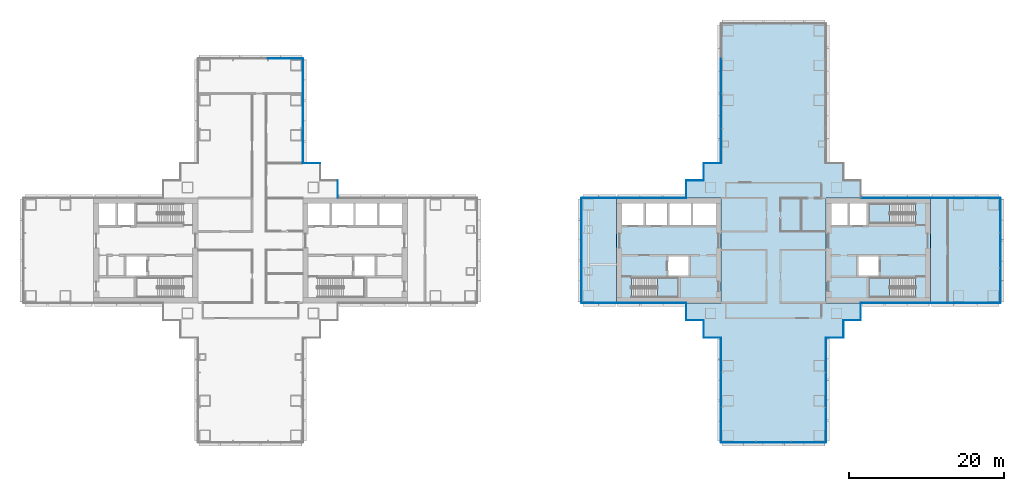
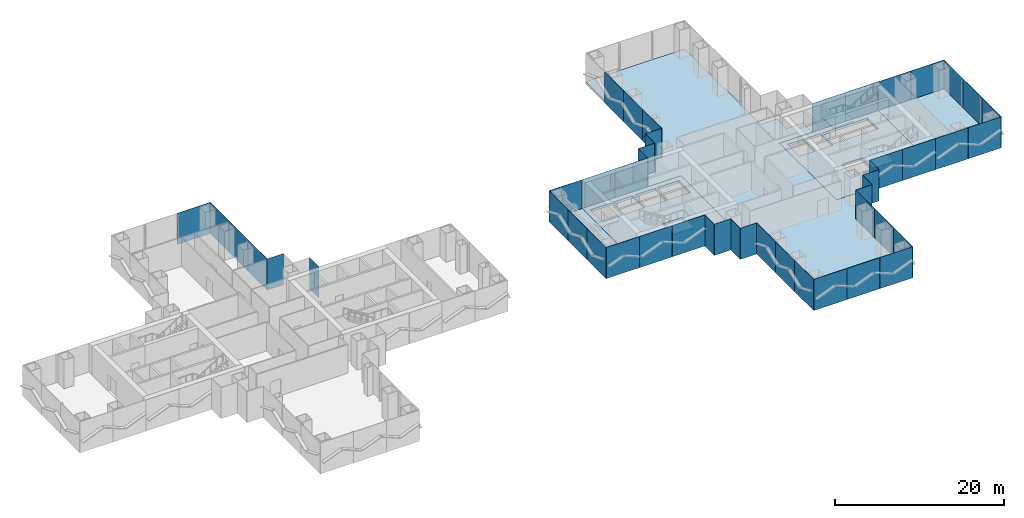
# One storey, part 12 of 22: 50 plates, 8 slabs, 23 elements without a shape of their own.
"""IFC4 building model written with IfcOpenShell, lengths in metres."""

from ifc_helpers import new_model, si_unit, direction, frame, origin, origin_2d, place, context, subcontext, project, spatial, polyline, rectangle, outline, extrude, material, layer, layer_set, type_object, element, aggregate, save


model = new_model("IFC4")

# Units and contexts
model_context = context("Model", 3, precision=1e-05, world=origin(), true_north=direction((0.0, 1.0)))
body_context = subcontext(model_context, "Body", "Model", "MODEL_VIEW")
ifc_project = project(units=[si_unit("LENGTHUNIT", "METRE"), si_unit("AREAUNIT", "SQUARE_METRE"), si_unit("VOLUMEUNIT", "CUBIC_METRE"), si_unit("PLANEANGLEUNIT", "RADIAN"), si_unit("MASSUNIT", "GRAM", prefix="KILO")], contexts=[model_context])

# Site, building, storey
site_placement = place(None, origin())
site = spatial("IfcSite", under=ifc_project, at=site_placement, CompositionType="ELEMENT")
building_placement = place(site_placement, origin())
building = spatial("IfcBuilding", under=site, at=building_placement, Name="Shamsa Quay Exchange Towers", CompositionType="ELEMENT")
storey_placement = place(building_placement, frame((0.0, 0.0, 37.5)))
storey = spatial("IfcBuildingStorey", under=building, at=storey_placement, Name="L07", CompositionType="ELEMENT", Elevation=37.5)

# Slabs
ifc_material_1 = material(Name="Concrete C50/60", Category="concrete")
ifc_layer_1 = layer(ifc_material_1, 0.35009765625)
ifc_layer_set_1 = layer_set([ifc_layer_1], Name="CORE FLOOR 350 C50/60")
slab_type_1 = type_object("IfcSlabType", Name="CORE FLOOR 350 C50/60", PredefinedType="FLOOR", material=ifc_layer_set_1)
slab_1_placement = place(storey_placement, frame((0.0, 0.0, -0.35009765625)))
element("IfcSlab", 1, at=slab_1_placement, inside=storey, type_object=slab_type_1, Name="Core floor T2A", PredefinedType="FLOOR", context=body_context, shape_type="SweptSolid", body=[
    extrude(outline(polyline([(13.5, -6.75), (27.0, -6.75), (27.0, 6.75), (13.5, 6.75), (13.5, -6.75)]), holes=[polyline([(15.400634765625, -6.050048828125), (15.400634765625, -3.5), (21.5, -3.5), (21.5, -6.050048828125), (15.400634765625, -6.050048828125)]), polyline([(14.199951171875, 3.25), (14.199951171875, 6.050048828125), (17.0, 6.050048828125), (17.0, 3.25), (14.199951171875, 3.25)]), polyline([(17.25, 3.25), (17.25, 6.050048828125), (20.050048828125, 6.050048828125), (20.050048828125, 3.25), (17.25, 3.25)]), polyline([(20.300048828125, 3.25), (20.300048828125, 6.050048828125), (23.10009765625, 6.050048828125), (23.10009765625, 3.25), (20.300048828125, 3.25)]), polyline([(23.35009765625, 3.25), (23.35009765625, 6.050048828125), (26.300048828125, 6.050048828125), (26.300048828125, 3.25), (23.35009765625, 3.25)]), polyline([(20.14990234375, -3.25), (20.14990234375, -0.75), (22.800048828125, -0.75), (22.800048828125, -3.25), (20.14990234375, -3.25)])]), origin(), (0.0, 0.0, 1.0), 0.35009765625),
])
slab_2_placement = place(storey_placement, frame((0.0, 0.0, -0.35009765625)))
element("IfcSlab", 2, at=slab_2_placement, inside=storey, type_object=slab_type_1, Name="Core floor T2B", PredefinedType="FLOOR", context=body_context, shape_type="SweptSolid", body=[
    extrude(outline(polyline([(54.0, -6.75), (54.0, 6.75), (40.5, 6.75), (40.5, -6.75), (54.0, -6.75)]), holes=[polyline([(52.099365234375, -3.5), (52.099365234375, -6.050048828125), (46.0, -6.050048828125), (46.0, -3.5), (52.099365234375, -3.5)]), polyline([(52.099365234375, 6.050048828125), (52.099365234375, 3.5), (46.0, 3.5), (46.0, 6.050048828125), (52.099365234375, 6.050048828125)]), polyline([(45.75, 3.25), (43.60009765625, 3.25), (43.60009765625, 6.050048828125), (45.75, 6.050048828125), (45.75, 3.25)]), polyline([(43.35009765625, 3.25), (41.199951171875, 3.25), (41.199951171875, 6.050048828125), (43.35009765625, 6.050048828125), (43.35009765625, 3.25)]), polyline([(47.35009765625, -3.25), (44.699951171875, -3.25), (44.699951171875, -0.75), (47.35009765625, -0.75), (47.35009765625, -3.25)])]), origin(), (0.0, 0.0, 1.0), 0.35009765625),
])

# Stair, slab
ifc_material_2 = material(Name="Concrete C40/50", Category="concrete")
stair_type = type_object("IfcStairType", Name="EXIT STAIR 26 RISERS 173 MM", PredefinedType="HALF_TURN_STAIR", material=ifc_material_2)
stair_1_placement = place(storey_placement, origin())
stair_1 = element("IfcStair", 3, at=stair_1_placement, inside=storey, type_object=stair_type, Name="L07 Exit stair ST4", PredefinedType="HALF_TURN_STAIR")
ifc_layer_2 = layer(ifc_material_2, 0.199951171875)
ifc_layer_set_2 = layer_set([ifc_layer_2], Name="CORE STAIR LANDING")
slab_type_2 = type_object("IfcSlabType", Name="CORE STAIR LANDING", PredefinedType="LANDING", material=ifc_layer_set_2)
slab_3_placement = place(storey_placement, frame((0.0, 0.0, 2.050048828125)))
slab_3 = element("IfcSlab", 4, at=slab_3_placement, type_object=slab_type_2, Name="ST4 landing 1", PredefinedType="LANDING", context=body_context, shape_type="SweptSolid", body=[
    extrude(outline(polyline([(18.760009765625, -6.050048828125), (21.5, -6.050048828125), (21.5, -3.5), (18.760009765625, -3.5), (18.760009765625, -6.050048828125)])), origin(), (0.0, 0.0, 1.0), 0.199951171875),
])
aggregate(stair_1, [slab_3])

stair_2_placement = place(storey_placement, origin())
stair_2 = element("IfcStair", 5, at=stair_2_placement, inside=storey, type_object=stair_type, Name="L07 Exit stair ST5", PredefinedType="HALF_TURN_STAIR")
slab_4_placement = place(storey_placement, frame((0.0, 0.0, 2.050048828125)))
slab_4 = element("IfcSlab", 6, at=slab_4_placement, type_object=slab_type_2, Name="ST5 landing 1", PredefinedType="LANDING", context=body_context, shape_type="SweptSolid", body=[
    extrude(outline(polyline([(48.739990234375, -3.5), (46.0, -3.5), (46.0, -6.050048828125), (48.739990234375, -6.050048828125), (48.739990234375, -3.5)])), origin(), (0.0, 0.0, 1.0), 0.199951171875),
])
aggregate(stair_2, [slab_4])

stair_3_placement = place(storey_placement, origin())
stair_3 = element("IfcStair", 7, at=stair_3_placement, inside=storey, type_object=stair_type, Name="L07 Exit stair ST6", PredefinedType="HALF_TURN_STAIR")
slab_5_placement = place(storey_placement, frame((0.0, 0.0, 2.050048828125)))
slab_5 = element("IfcSlab", 8, at=slab_5_placement, type_object=slab_type_2, Name="ST6 landing 1", PredefinedType="LANDING", context=body_context, shape_type="SweptSolid", body=[
    extrude(outline(polyline([(48.739990234375, 6.050048828125), (46.0, 6.050048828125), (46.0, 3.5), (48.739990234375, 3.5), (48.739990234375, 6.050048828125)])), origin(), (0.0, 0.0, 1.0), 0.199951171875),
])
aggregate(stair_3, [slab_5])

# Curtain wall, plates
ifc_material_3 = material(Name="Aluminium EN AW-6063 T6, black anodised", Category="aluminium")
ifc_layer_3 = layer(ifc_material_3, 0.280029296875)
ifc_layer_set_3 = layer_set([ifc_layer_3], Name="CW-1 UNITISED VISION GLASS")
curtain_wall_type_1 = type_object("IfcCurtainWallType", Name="CW-1 UNITISED VISION GLASS", PredefinedType="NOTDEFINED", material=ifc_layer_set_3)
curtain_wall_1_placement = place(storey_placement, origin())
curtain_wall_1 = element("IfcCurtainWall", 9, at=curtain_wall_1_placement, inside=storey, type_object=curtain_wall_type_1, Name="CW1 T1-FLK-V+E L07", PredefinedType="NOTDEFINED")
ifc_material_4 = material(Name="Glass, laminated, dark tinted", Category="glass")
ifc_layer_4 = layer(ifc_material_4, 0.0400390625)
ifc_layer_set_4 = layer_set([ifc_layer_4], Name="CW-1 VISION GLASS 40")
plate_type_1 = type_object("IfcPlateType", Name="CW-1 VISION GLASS 40", PredefinedType="CURTAIN_PANEL", material=ifc_layer_set_4)
plate_1_placement = place(storey_placement, frame((-26.97998046875, 13.529052734375, -0.35009765625), z_axis=(0.0, 0.0, 1.0), x_axis=(0.0, 1.0, 0.0)))
plate_1 = element("IfcPlate", 10, at=plate_1_placement, type_object=plate_type_1, Name="CW1 glass panel", PredefinedType="CURTAIN_PANEL", context=body_context, shape_type="SweptSolid", body=[
    extrude(rectangle(XDim=4.482421875, YDim=0.0400390625, at=origin_2d()), origin(), (0.0, 0.0, 1.0), 4.5),
])
plate_2_placement = place(storey_placement, frame((-26.97998046875, 18.01904296875, -0.35009765625), z_axis=(0.0, 0.0, 1.0), x_axis=(0.0, 1.0, 0.0)))
plate_2 = element("IfcPlate", 11, at=plate_2_placement, type_object=plate_type_1, Name="CW1 glass panel", PredefinedType="CURTAIN_PANEL", context=body_context, shape_type="SweptSolid", body=[
    extrude(rectangle(XDim=4.477294921875, YDim=0.0400390625, at=origin_2d()), origin(), (0.0, 0.0, 1.0), 4.5),
])
plate_3_placement = place(storey_placement, frame((-26.97998046875, 22.5087890625, -0.35009765625), z_axis=(0.0, 0.0, 1.0), x_axis=(0.0, 1.0, 0.0)))
plate_3 = element("IfcPlate", 12, at=plate_3_placement, type_object=plate_type_1, Name="CW1 glass panel", PredefinedType="CURTAIN_PANEL", context=body_context, shape_type="SweptSolid", body=[
    extrude(rectangle(XDim=4.482421875, YDim=0.0400390625, at=origin_2d()), origin(), (0.0, 0.0, 1.0), 4.5),
])
aggregate(curtain_wall_1, [plate_1, plate_2, plate_3])

# Curtain wall, plate
curtain_wall_2_placement = place(storey_placement, origin())
curtain_wall_2 = element("IfcCurtainWall", 13, at=curtain_wall_2_placement, inside=storey, type_object=curtain_wall_type_1, Name="CW1 T1-END-V+ L07", PredefinedType="NOTDEFINED")
plate_4_placement = place(storey_placement, frame((-29.24755859375, 24.77001953125, -0.35009765625), z_axis=(0.0, 0.0, 1.0), x_axis=(-1.0, 0.0, 0.0)))
plate_4 = element("IfcPlate", 14, at=plate_4_placement, type_object=plate_type_1, Name="CW1 glass panel", PredefinedType="CURTAIN_PANEL", context=body_context, shape_type="SweptSolid", body=[
    extrude(rectangle(XDim=4.4951171875, YDim=0.0400390625, at=origin_2d()), origin(), (0.0, 0.0, 1.0), 4.5),
])
aggregate(curtain_wall_2, [plate_4])

# Curtain wall, plates
curtain_wall_3_placement = place(storey_placement, origin())
curtain_wall_3 = element("IfcCurtainWall", 15, at=curtain_wall_3_placement, inside=storey, type_object=curtain_wall_type_1, Name="CW1 T2-FLK-V-W L07", PredefinedType="NOTDEFINED")
plate_5_placement = place(storey_placement, frame((56.24755859375, -6.77001953125, -0.35009765625)))
plate_5 = element("IfcPlate", 16, at=plate_5_placement, type_object=plate_type_1, Name="CW1 glass panel", PredefinedType="CURTAIN_PANEL", context=body_context, shape_type="SweptSolid", body=[
    extrude(rectangle(XDim=4.4951171875, YDim=0.0400390625, at=origin_2d()), origin(), (0.0, 0.0, 1.0), 4.5),
])
plate_6_placement = place(storey_placement, frame((60.75244140625, -6.77001953125, -0.35009765625)))
plate_6 = element("IfcPlate", 17, at=plate_6_placement, type_object=plate_type_1, Name="CW1 glass panel", PredefinedType="CURTAIN_PANEL", context=body_context, shape_type="SweptSolid", body=[
    extrude(rectangle(XDim=4.4951171875, YDim=0.0400390625, at=origin_2d()), origin(), (0.0, 0.0, 1.0), 4.5),
])
aggregate(curtain_wall_3, [plate_5, plate_6])

curtain_wall_4_placement = place(storey_placement, origin())
curtain_wall_4 = element("IfcCurtainWall", 18, at=curtain_wall_4_placement, inside=storey, type_object=curtain_wall_type_1, Name="CW1 T2-END-V- L07", PredefinedType="NOTDEFINED")
plate_7_placement = place(storey_placement, frame((63.02001953125, -4.50244140625, -0.35009765625), z_axis=(0.0, 0.0, 1.0), x_axis=(0.0, 1.0, 0.0)))
plate_7 = element("IfcPlate", 19, at=plate_7_placement, type_object=plate_type_1, Name="CW1 glass panel", PredefinedType="CURTAIN_PANEL", context=body_context, shape_type="SweptSolid", body=[
    extrude(rectangle(XDim=4.4951171875, YDim=0.0400390625, at=origin_2d()), origin(), (0.0, 0.0, 1.0), 4.5),
])
plate_8_placement = place(storey_placement, frame((63.02001953125, 0.0, -0.35009765625), z_axis=(0.0, 0.0, 1.0), x_axis=(0.0, 1.0, 0.0)))
plate_8 = element("IfcPlate", 20, at=plate_8_placement, type_object=plate_type_1, Name="CW1 glass panel", PredefinedType="CURTAIN_PANEL", context=body_context, shape_type="SweptSolid", body=[
    extrude(rectangle(XDim=4.489990234375, YDim=0.0400390625, at=origin_2d()), origin(), (0.0, 0.0, 1.0), 4.5),
])
plate_9_placement = place(storey_placement, frame((63.02001953125, 4.50244140625, -0.35009765625), z_axis=(0.0, 0.0, 1.0), x_axis=(0.0, 1.0, 0.0)))
plate_9 = element("IfcPlate", 21, at=plate_9_placement, type_object=plate_type_1, Name="CW1 glass panel", PredefinedType="CURTAIN_PANEL", context=body_context, shape_type="SweptSolid", body=[
    extrude(rectangle(XDim=4.4951171875, YDim=0.0400390625, at=origin_2d()), origin(), (0.0, 0.0, 1.0), 4.5),
])
aggregate(curtain_wall_4, [plate_7, plate_8, plate_9])

curtain_wall_5_placement = place(storey_placement, origin())
curtain_wall_5 = element("IfcCurtainWall", 22, at=curtain_wall_5_placement, inside=storey, type_object=curtain_wall_type_1, Name="CW1 T2-FLK-V-E L07", PredefinedType="NOTDEFINED")
plate_10_placement = place(storey_placement, frame((60.75244140625, 6.77001953125, -0.35009765625), z_axis=(0.0, 0.0, 1.0), x_axis=(-1.0, 0.0, 0.0)))
plate_10 = element("IfcPlate", 23, at=plate_10_placement, type_object=plate_type_1, Name="CW1 glass panel", PredefinedType="CURTAIN_PANEL", context=body_context, shape_type="SweptSolid", body=[
    extrude(rectangle(XDim=4.4951171875, YDim=0.0400390625, at=origin_2d()), origin(), (0.0, 0.0, 1.0), 4.5),
])
plate_11_placement = place(storey_placement, frame((56.24755859375, 6.77001953125, -0.35009765625), z_axis=(0.0, 0.0, 1.0), x_axis=(-1.0, 0.0, 0.0)))
plate_11 = element("IfcPlate", 24, at=plate_11_placement, type_object=plate_type_1, Name="CW1 glass panel", PredefinedType="CURTAIN_PANEL", context=body_context, shape_type="SweptSolid", body=[
    extrude(rectangle(XDim=4.4951171875, YDim=0.0400390625, at=origin_2d()), origin(), (0.0, 0.0, 1.0), 4.5),
])
aggregate(curtain_wall_5, [plate_10, plate_11])

curtain_wall_6_placement = place(storey_placement, origin())
curtain_wall_6 = element("IfcCurtainWall", 25, at=curtain_wall_6_placement, inside=storey, type_object=curtain_wall_type_1, Name="CW1 T2-FLK-U+N L07", PredefinedType="NOTDEFINED")
plate_12_placement = place(storey_placement, frame((26.97998046875, 22.5, -0.35009765625), z_axis=(0.0, 0.0, 1.0), x_axis=(0.0, -1.0, 0.0)))
plate_12 = element("IfcPlate", 26, at=plate_12_placement, type_object=plate_type_1, Name="CW1 glass panel", PredefinedType="CURTAIN_PANEL", context=body_context, shape_type="SweptSolid", body=[
    extrude(rectangle(XDim=4.489990234375, YDim=0.0400390625, at=origin_2d()), origin(), (0.0, 0.0, 1.0), 4.5),
])
plate_13_placement = place(storey_placement, frame((26.97998046875, 18.0, -0.35009765625), z_axis=(0.0, 0.0, 1.0), x_axis=(0.0, -1.0, 0.0)))
plate_13 = element("IfcPlate", 27, at=plate_13_placement, type_object=plate_type_1, Name="CW1 glass panel", PredefinedType="CURTAIN_PANEL", context=body_context, shape_type="SweptSolid", body=[
    extrude(rectangle(XDim=4.489990234375, YDim=0.0400390625, at=origin_2d()), origin(), (0.0, 0.0, 1.0), 4.5),
])
plate_14_placement = place(storey_placement, frame((26.97998046875, 13.49755859375, -0.35009765625), z_axis=(0.0, 0.0, 1.0), x_axis=(0.0, -1.0, 0.0)))
plate_14 = element("IfcPlate", 28, at=plate_14_placement, type_object=plate_type_1, Name="CW1 glass panel", PredefinedType="CURTAIN_PANEL", context=body_context, shape_type="SweptSolid", body=[
    extrude(rectangle(XDim=4.4951171875, YDim=0.0400390625, at=origin_2d()), origin(), (0.0, 0.0, 1.0), 4.5),
])
aggregate(curtain_wall_6, [plate_12, plate_13, plate_14])

# Curtain wall, plate
curtain_wall_7_placement = place(storey_placement, origin())
curtain_wall_7 = element("IfcCurtainWall", 29, at=curtain_wall_7_placement, inside=storey, type_object=curtain_wall_type_1, Name="CW1 T2-FLK-V+E L07", PredefinedType="NOTDEFINED")
plate_15_placement = place(storey_placement, frame((11.25, 6.77001953125, -0.35009765625), z_axis=(0.0, 0.0, 1.0), x_axis=(-1.0, 0.0, 0.0)))
plate_15 = element("IfcPlate", 30, at=plate_15_placement, type_object=plate_type_1, Name="CW1 glass panel", PredefinedType="CURTAIN_PANEL", context=body_context, shape_type="SweptSolid", body=[
    extrude(rectangle(XDim=4.5, YDim=0.0400390625, at=origin_2d()), origin(), (0.0, 0.0, 1.0), 4.5),
])
aggregate(curtain_wall_7, [plate_15])

# Curtain wall, plates
curtain_wall_8_placement = place(storey_placement, origin())
curtain_wall_8 = element("IfcCurtainWall", 31, at=curtain_wall_8_placement, inside=storey, type_object=curtain_wall_type_1, Name="CW1 T2-END-V+ L07", PredefinedType="NOTDEFINED")
plate_16_placement = place(storey_placement, frame((8.97998046875, 4.50244140625, -0.35009765625), z_axis=(0.0, 0.0, 1.0), x_axis=(0.0, -1.0, 0.0)))
plate_16 = element("IfcPlate", 32, at=plate_16_placement, type_object=plate_type_1, Name="CW1 glass panel", PredefinedType="CURTAIN_PANEL", context=body_context, shape_type="SweptSolid", body=[
    extrude(rectangle(XDim=4.4951171875, YDim=0.0400390625, at=origin_2d()), origin(), (0.0, 0.0, 1.0), 4.5),
])
plate_17_placement = place(storey_placement, frame((8.97998046875, 0.0, -0.35009765625), z_axis=(0.0, 0.0, 1.0), x_axis=(0.0, -1.0, 0.0)))
plate_17 = element("IfcPlate", 33, at=plate_17_placement, type_object=plate_type_1, Name="CW1 glass panel", PredefinedType="CURTAIN_PANEL", context=body_context, shape_type="SweptSolid", body=[
    extrude(rectangle(XDim=4.489990234375, YDim=0.0400390625, at=origin_2d()), origin(), (0.0, 0.0, 1.0), 4.5),
])
plate_18_placement = place(storey_placement, frame((8.97998046875, -4.50244140625, -0.35009765625), z_axis=(0.0, 0.0, 1.0), x_axis=(0.0, -1.0, 0.0)))
plate_18 = element("IfcPlate", 34, at=plate_18_placement, type_object=plate_type_1, Name="CW1 glass panel", PredefinedType="CURTAIN_PANEL", context=body_context, shape_type="SweptSolid", body=[
    extrude(rectangle(XDim=4.4951171875, YDim=0.0400390625, at=origin_2d()), origin(), (0.0, 0.0, 1.0), 4.5),
])
aggregate(curtain_wall_8, [plate_16, plate_17, plate_18])

# Curtain wall, plate
curtain_wall_9_placement = place(storey_placement, origin())
curtain_wall_9 = element("IfcCurtainWall", 35, at=curtain_wall_9_placement, inside=storey, type_object=curtain_wall_type_1, Name="CW1 T2-FLK-V+W L07", PredefinedType="NOTDEFINED")
plate_19_placement = place(storey_placement, frame((11.25, -6.77001953125, -0.35009765625)))
plate_19 = element("IfcPlate", 36, at=plate_19_placement, type_object=plate_type_1, Name="CW1 glass panel", PredefinedType="CURTAIN_PANEL", context=body_context, shape_type="SweptSolid", body=[
    extrude(rectangle(XDim=4.5, YDim=0.0400390625, at=origin_2d()), origin(), (0.0, 0.0, 1.0), 4.5),
])
aggregate(curtain_wall_9, [plate_19])

# Curtain wall, plates
curtain_wall_10_placement = place(storey_placement, origin())
curtain_wall_10 = element("IfcCurtainWall", 37, at=curtain_wall_10_placement, inside=storey, type_object=curtain_wall_type_1, Name="CW1 T2-FLK-U-N L07", PredefinedType="NOTDEFINED")
plate_20_placement = place(storey_placement, frame((26.97998046875, -13.529052734375, -0.35009765625), z_axis=(0.0, 0.0, 1.0), x_axis=(0.0, -1.0, 0.0)))
plate_20 = element("IfcPlate", 38, at=plate_20_placement, type_object=plate_type_1, Name="CW1 glass panel", PredefinedType="CURTAIN_PANEL", context=body_context, shape_type="SweptSolid", body=[
    extrude(rectangle(XDim=4.482421875, YDim=0.0400390625, at=origin_2d()), origin(), (0.0, 0.0, 1.0), 4.5),
])
plate_21_placement = place(storey_placement, frame((26.97998046875, -18.01904296875, -0.35009765625), z_axis=(0.0, 0.0, 1.0), x_axis=(0.0, -1.0, 0.0)))
plate_21 = element("IfcPlate", 39, at=plate_21_placement, type_object=plate_type_1, Name="CW1 glass panel", PredefinedType="CURTAIN_PANEL", context=body_context, shape_type="SweptSolid", body=[
    extrude(rectangle(XDim=4.477294921875, YDim=0.0400390625, at=origin_2d()), origin(), (0.0, 0.0, 1.0), 4.5),
])
plate_22_placement = place(storey_placement, frame((26.97998046875, -22.5087890625, -0.35009765625), z_axis=(0.0, 0.0, 1.0), x_axis=(0.0, -1.0, 0.0)))
plate_22 = element("IfcPlate", 40, at=plate_22_placement, type_object=plate_type_1, Name="CW1 glass panel", PredefinedType="CURTAIN_PANEL", context=body_context, shape_type="SweptSolid", body=[
    extrude(rectangle(XDim=4.482421875, YDim=0.0400390625, at=origin_2d()), origin(), (0.0, 0.0, 1.0), 4.5),
])
aggregate(curtain_wall_10, [plate_20, plate_21, plate_22])

curtain_wall_11_placement = place(storey_placement, origin())
curtain_wall_11 = element("IfcCurtainWall", 41, at=curtain_wall_11_placement, inside=storey, type_object=curtain_wall_type_1, Name="CW1 T2-END-U- L07", PredefinedType="NOTDEFINED")
plate_23_placement = place(storey_placement, frame((29.24755859375, -24.77001953125, -0.35009765625)))
plate_23 = element("IfcPlate", 42, at=plate_23_placement, type_object=plate_type_1, Name="CW1 glass panel", PredefinedType="CURTAIN_PANEL", context=body_context, shape_type="SweptSolid", body=[
    extrude(rectangle(XDim=4.4951171875, YDim=0.0400390625, at=origin_2d()), origin(), (0.0, 0.0, 1.0), 4.5),
])
plate_24_placement = place(storey_placement, frame((33.75, -24.77001953125, -0.35009765625)))
plate_24 = element("IfcPlate", 43, at=plate_24_placement, type_object=plate_type_1, Name="CW1 glass panel", PredefinedType="CURTAIN_PANEL", context=body_context, shape_type="SweptSolid", body=[
    extrude(rectangle(XDim=4.489990234375, YDim=0.0400390625, at=origin_2d()), origin(), (0.0, 0.0, 1.0), 4.5),
])
plate_25_placement = place(storey_placement, frame((38.25244140625, -24.77001953125, -0.35009765625)))
plate_25 = element("IfcPlate", 44, at=plate_25_placement, type_object=plate_type_1, Name="CW1 glass panel", PredefinedType="CURTAIN_PANEL", context=body_context, shape_type="SweptSolid", body=[
    extrude(rectangle(XDim=4.4951171875, YDim=0.0400390625, at=origin_2d()), origin(), (0.0, 0.0, 1.0), 4.5),
])
aggregate(curtain_wall_11, [plate_23, plate_24, plate_25])

curtain_wall_12_placement = place(storey_placement, origin())
curtain_wall_12 = element("IfcCurtainWall", 45, at=curtain_wall_12_placement, inside=storey, type_object=curtain_wall_type_1, Name="CW1 T2-FLK-U-S L07", PredefinedType="NOTDEFINED")
plate_26_placement = place(storey_placement, frame((40.52001953125, -22.50244140625, -0.35009765625), z_axis=(0.0, 0.0, 1.0), x_axis=(0.0, 1.0, 0.0)))
plate_26 = element("IfcPlate", 46, at=plate_26_placement, type_object=plate_type_1, Name="CW1 glass panel", PredefinedType="CURTAIN_PANEL", context=body_context, shape_type="SweptSolid", body=[
    extrude(rectangle(XDim=4.4951171875, YDim=0.0400390625, at=origin_2d()), origin(), (0.0, 0.0, 1.0), 4.5),
])
plate_27_placement = place(storey_placement, frame((40.52001953125, -18.0, -0.35009765625), z_axis=(0.0, 0.0, 1.0), x_axis=(0.0, 1.0, 0.0)))
plate_27 = element("IfcPlate", 47, at=plate_27_placement, type_object=plate_type_1, Name="CW1 glass panel", PredefinedType="CURTAIN_PANEL", context=body_context, shape_type="SweptSolid", body=[
    extrude(rectangle(XDim=4.489990234375, YDim=0.0400390625, at=origin_2d()), origin(), (0.0, 0.0, 1.0), 4.5),
])
plate_28_placement = place(storey_placement, frame((40.52001953125, -13.49755859375, -0.35009765625), z_axis=(0.0, 0.0, 1.0), x_axis=(0.0, 1.0, 0.0)))
plate_28 = element("IfcPlate", 48, at=plate_28_placement, type_object=plate_type_1, Name="CW1 glass panel", PredefinedType="CURTAIN_PANEL", context=body_context, shape_type="SweptSolid", body=[
    extrude(rectangle(XDim=4.4951171875, YDim=0.0400390625, at=origin_2d()), origin(), (0.0, 0.0, 1.0), 4.5),
])
aggregate(curtain_wall_12, [plate_26, plate_27, plate_28])

ifc_layer_5 = layer(ifc_material_3, 0.303955078125)
ifc_layer_set_5 = layer_set([ifc_layer_5], Name="CW-2 UNITISED OPAQUE SPANDREL GLASS")
curtain_wall_type_2 = type_object("IfcCurtainWallType", Name="CW-2 UNITISED OPAQUE SPANDREL GLASS", PredefinedType="NOTDEFINED", material=ifc_layer_set_5)
curtain_wall_13_placement = place(storey_placement, origin())
curtain_wall_13 = element("IfcCurtainWall", 49, at=curtain_wall_13_placement, inside=storey, type_object=curtain_wall_type_2, Name="CW2 T2-FLK-V-W L07", PredefinedType="NOTDEFINED")
ifc_material_5 = material(Name="Glass, laminated, black enamelled opaque", Category="glass")
ifc_layer_6 = layer(ifc_material_5, 0.0439453125)
ifc_layer_set_6 = layer_set([ifc_layer_6], Name="CW-2 SPANDREL GLASS 44")
plate_type_2 = type_object("IfcPlateType", Name="CW-2 SPANDREL GLASS 44", PredefinedType="CURTAIN_PANEL", material=ifc_layer_set_6)
plate_29_placement = place(storey_placement, frame((47.27587890625, -6.77197265625, -0.35009765625)))
plate_29 = element("IfcPlate", 50, at=plate_29_placement, type_object=plate_type_2, Name="CW2 glass panel", PredefinedType="CURTAIN_PANEL", context=body_context, shape_type="SweptSolid", body=[
    extrude(rectangle(XDim=4.47607421875, YDim=0.0439453125, at=origin_2d()), origin(), (0.0, 0.0, 1.0), 4.5),
])
plate_30_placement = place(storey_placement, frame((51.761962890625, -6.77197265625, -0.35009765625)))
plate_30 = element("IfcPlate", 51, at=plate_30_placement, type_object=plate_type_2, Name="CW2 glass panel", PredefinedType="CURTAIN_PANEL", context=body_context, shape_type="SweptSolid", body=[
    extrude(rectangle(XDim=4.47607421875, YDim=0.0439453125, at=origin_2d()), origin(), (0.0, 0.0, 1.0), 4.5),
])
aggregate(curtain_wall_13, [plate_29, plate_30])

curtain_wall_14_placement = place(storey_placement, origin())
curtain_wall_14 = element("IfcCurtainWall", 52, at=curtain_wall_14_placement, inside=storey, type_object=curtain_wall_type_2, Name="CW2 T2-FLK-V-E L07", PredefinedType="NOTDEFINED")
plate_31_placement = place(storey_placement, frame((51.75244140625, 6.77197265625, -0.35009765625), z_axis=(0.0, 0.0, 1.0), x_axis=(-1.0, 0.0, 0.0)))
plate_31 = element("IfcPlate", 53, at=plate_31_placement, type_object=plate_type_2, Name="CW2 glass panel", PredefinedType="CURTAIN_PANEL", context=body_context, shape_type="SweptSolid", body=[
    extrude(rectangle(XDim=4.4951171875, YDim=0.0439453125, at=origin_2d()), origin(), (0.0, 0.0, 1.0), 4.5),
])
plate_32_placement = place(storey_placement, frame((47.24755859375, 6.77197265625, -0.35009765625), z_axis=(0.0, 0.0, 1.0), x_axis=(-1.0, 0.0, 0.0)))
plate_32 = element("IfcPlate", 54, at=plate_32_placement, type_object=plate_type_2, Name="CW2 glass panel", PredefinedType="CURTAIN_PANEL", context=body_context, shape_type="SweptSolid", body=[
    extrude(rectangle(XDim=4.4951171875, YDim=0.0439453125, at=origin_2d()), origin(), (0.0, 0.0, 1.0), 4.5),
])
aggregate(curtain_wall_14, [plate_31, plate_32])

curtain_wall_15_placement = place(storey_placement, origin())
curtain_wall_15 = element("IfcCurtainWall", 55, at=curtain_wall_15_placement, inside=storey, type_object=curtain_wall_type_2, Name="CW2 T2-FLK-V+E L07", PredefinedType="NOTDEFINED")
plate_33_placement = place(storey_placement, frame((20.22412109375, 6.77197265625, -0.35009765625), z_axis=(0.0, 0.0, 1.0), x_axis=(-1.0, 0.0, 0.0)))
plate_33 = element("IfcPlate", 56, at=plate_33_placement, type_object=plate_type_2, Name="CW2 glass panel", PredefinedType="CURTAIN_PANEL", context=body_context, shape_type="SweptSolid", body=[
    extrude(rectangle(XDim=4.47607421875, YDim=0.0439453125, at=origin_2d()), origin(), (0.0, 0.0, 1.0), 4.5),
])
plate_34_placement = place(storey_placement, frame((15.738037109375, 6.77197265625, -0.35009765625), z_axis=(0.0, 0.0, 1.0), x_axis=(-1.0, 0.0, 0.0)))
plate_34 = element("IfcPlate", 57, at=plate_34_placement, type_object=plate_type_2, Name="CW2 glass panel", PredefinedType="CURTAIN_PANEL", context=body_context, shape_type="SweptSolid", body=[
    extrude(rectangle(XDim=4.47607421875, YDim=0.0439453125, at=origin_2d()), origin(), (0.0, 0.0, 1.0), 4.5),
])
aggregate(curtain_wall_15, [plate_33, plate_34])

curtain_wall_16_placement = place(storey_placement, origin())
curtain_wall_16 = element("IfcCurtainWall", 58, at=curtain_wall_16_placement, inside=storey, type_object=curtain_wall_type_2, Name="CW2 T2-FLK-V+W L07", PredefinedType="NOTDEFINED")
plate_35_placement = place(storey_placement, frame((15.74755859375, -6.77197265625, -0.35009765625)))
plate_35 = element("IfcPlate", 59, at=plate_35_placement, type_object=plate_type_2, Name="CW2 glass panel", PredefinedType="CURTAIN_PANEL", context=body_context, shape_type="SweptSolid", body=[
    extrude(rectangle(XDim=4.4951171875, YDim=0.0439453125, at=origin_2d()), origin(), (0.0, 0.0, 1.0), 4.5),
])
plate_36_placement = place(storey_placement, frame((20.25244140625, -6.77197265625, -0.35009765625)))
plate_36 = element("IfcPlate", 60, at=plate_36_placement, type_object=plate_type_2, Name="CW2 glass panel", PredefinedType="CURTAIN_PANEL", context=body_context, shape_type="SweptSolid", body=[
    extrude(rectangle(XDim=4.4951171875, YDim=0.0439453125, at=origin_2d()), origin(), (0.0, 0.0, 1.0), 4.5),
])
aggregate(curtain_wall_16, [plate_35, plate_36])

ifc_layer_7 = layer(ifc_material_3, 0.256103515625)
ifc_layer_set_7 = layer_set([ifc_layer_7], Name="CW-4 POCKET SERRATED GLAZING")
curtain_wall_type_3 = type_object("IfcCurtainWallType", Name="CW-4 POCKET SERRATED GLAZING", PredefinedType="NOTDEFINED", material=ifc_layer_set_7)
curtain_wall_17_placement = place(storey_placement, origin())
curtain_wall_17 = element("IfcCurtainWall", 61, at=curtain_wall_17_placement, inside=storey, type_object=curtain_wall_type_3, Name="CW4 PKEN L07", PredefinedType="NOTDEFINED")
ifc_layer_8 = layer(ifc_material_4, 0.035888671875)
ifc_layer_set_8 = layer_set([ifc_layer_8], Name="CW-4 POCKET GLASS 36")
plate_type_3 = type_object("IfcPlateType", Name="CW-4 POCKET GLASS 36", PredefinedType="CURTAIN_PANEL", material=ifc_layer_set_8)
plate_37_placement = place(storey_placement, frame((-22.48193359375, 7.89794921875, -0.35009765625), z_axis=(0.0, 0.0, 1.0), x_axis=(0.0, 1.0, 0.0)))
plate_37 = element("IfcPlate", 62, at=plate_37_placement, type_object=plate_type_3, Name="CW4 glass panel", PredefinedType="CURTAIN_PANEL", context=body_context, shape_type="SweptSolid", body=[
    extrude(rectangle(XDim=2.2041015625, YDim=0.035888671875, at=origin_2d()), origin(), (0.0, 0.0, 1.0), 4.5),
])
plate_38_placement = place(storey_placement, frame((-25.875, 11.26806640625, -0.35009765625), z_axis=(0.0, 0.0, 1.0), x_axis=(-1.0, 0.0, 0.0)))
plate_38 = element("IfcPlate", 63, at=plate_38_placement, type_object=plate_type_3, Name="CW4 glass panel", PredefinedType="CURTAIN_PANEL", context=body_context, shape_type="SweptSolid", body=[
    extrude(rectangle(XDim=2.25, YDim=0.035888671875, at=origin_2d()), origin(), (0.0, 0.0, 1.0), 4.5),
])
aggregate(curtain_wall_17, [plate_37, plate_38])

curtain_wall_18_placement = place(storey_placement, origin())
curtain_wall_18 = element("IfcCurtainWall", 64, at=curtain_wall_18_placement, inside=storey, type_object=curtain_wall_type_3, Name="CW4 PKWS L07", PredefinedType="NOTDEFINED")
plate_39_placement = place(storey_placement, frame((43.89404296875, -9.01806640625, -0.35009765625)))
plate_39 = element("IfcPlate", 65, at=plate_39_placement, type_object=plate_type_3, Name="CW4 glass panel", PredefinedType="CURTAIN_PANEL", context=body_context, shape_type="SweptSolid", body=[
    extrude(rectangle(XDim=2.2119140625, YDim=0.035888671875, at=origin_2d()), origin(), (0.0, 0.0, 1.0), 4.5),
])
plate_40_placement = place(storey_placement, frame((45.01806640625, -7.875, -0.35009765625), z_axis=(0.0, 0.0, 1.0), x_axis=(0.0, 1.0, 0.0)))
plate_40 = element("IfcPlate", 66, at=plate_40_placement, type_object=plate_type_3, Name="CW4 glass panel", PredefinedType="CURTAIN_PANEL", context=body_context, shape_type="SweptSolid", body=[
    extrude(rectangle(XDim=2.25, YDim=0.035888671875, at=origin_2d()), origin(), (0.0, 0.0, 1.0), 4.5),
])
plate_41_placement = place(storey_placement, frame((41.64599609375, -11.26806640625, -0.35009765625)))
plate_41 = element("IfcPlate", 67, at=plate_41_placement, type_object=plate_type_3, Name="CW4 glass panel", PredefinedType="CURTAIN_PANEL", context=body_context, shape_type="SweptSolid", body=[
    extrude(rectangle(XDim=2.2080078125, YDim=0.035888671875, at=origin_2d()), origin(), (0.0, 0.0, 1.0), 4.5),
])
plate_42_placement = place(storey_placement, frame((42.76806640625, -10.125, -0.35009765625), z_axis=(0.0, 0.0, 1.0), x_axis=(0.0, 1.0, 0.0)))
plate_42 = element("IfcPlate", 68, at=plate_42_placement, type_object=plate_type_3, Name="CW4 glass panel", PredefinedType="CURTAIN_PANEL", context=body_context, shape_type="SweptSolid", body=[
    extrude(rectangle(XDim=2.25, YDim=0.035888671875, at=origin_2d()), origin(), (0.0, 0.0, 1.0), 4.5),
])
aggregate(curtain_wall_18, [plate_39, plate_40, plate_41, plate_42])

curtain_wall_19_placement = place(storey_placement, origin())
curtain_wall_19 = element("IfcCurtainWall", 69, at=curtain_wall_19_placement, inside=storey, type_object=curtain_wall_type_3, Name="CW4 PKEN L07", PredefinedType="NOTDEFINED")
plate_43_placement = place(storey_placement, frame((25.85400390625, 11.26806640625, -0.35009765625), z_axis=(0.0, 0.0, 1.0), x_axis=(-1.0, 0.0, 0.0)))
plate_43 = element("IfcPlate", 70, at=plate_43_placement, type_object=plate_type_3, Name="CW4 glass panel", PredefinedType="CURTAIN_PANEL", context=body_context, shape_type="SweptSolid", body=[
    extrude(rectangle(XDim=2.2080078125, YDim=0.035888671875, at=origin_2d()), origin(), (0.0, 0.0, 1.0), 4.5),
])
plate_44_placement = place(storey_placement, frame((24.73193359375, 10.125, -0.35009765625), z_axis=(0.0, 0.0, 1.0), x_axis=(0.0, -1.0, 0.0)))
plate_44 = element("IfcPlate", 71, at=plate_44_placement, type_object=plate_type_3, Name="CW4 glass panel", PredefinedType="CURTAIN_PANEL", context=body_context, shape_type="SweptSolid", body=[
    extrude(rectangle(XDim=2.25, YDim=0.035888671875, at=origin_2d()), origin(), (0.0, 0.0, 1.0), 4.5),
])
plate_45_placement = place(storey_placement, frame((23.60595703125, 9.01806640625, -0.35009765625), z_axis=(0.0, 0.0, 1.0), x_axis=(-1.0, 0.0, 0.0)))
plate_45 = element("IfcPlate", 72, at=plate_45_placement, type_object=plate_type_3, Name="CW4 glass panel", PredefinedType="CURTAIN_PANEL", context=body_context, shape_type="SweptSolid", body=[
    extrude(rectangle(XDim=2.2119140625, YDim=0.035888671875, at=origin_2d()), origin(), (0.0, 0.0, 1.0), 4.5),
])
plate_46_placement = place(storey_placement, frame((22.48193359375, 7.875, -0.35009765625), z_axis=(0.0, 0.0, 1.0), x_axis=(0.0, -1.0, 0.0)))
plate_46 = element("IfcPlate", 73, at=plate_46_placement, type_object=plate_type_3, Name="CW4 glass panel", PredefinedType="CURTAIN_PANEL", context=body_context, shape_type="SweptSolid", body=[
    extrude(rectangle(XDim=2.25, YDim=0.035888671875, at=origin_2d()), origin(), (0.0, 0.0, 1.0), 4.5),
])
aggregate(curtain_wall_19, [plate_43, plate_44, plate_45, plate_46])

curtain_wall_20_placement = place(storey_placement, origin())
curtain_wall_20 = element("IfcCurtainWall", 74, at=curtain_wall_20_placement, inside=storey, type_object=curtain_wall_type_3, Name="CW4 PKWN L07", PredefinedType="NOTDEFINED")
plate_47_placement = place(storey_placement, frame((22.48193359375, -7.89794921875, -0.35009765625), z_axis=(0.0, 0.0, 1.0), x_axis=(0.0, -1.0, 0.0)))
plate_47 = element("IfcPlate", 75, at=plate_47_placement, type_object=plate_type_3, Name="CW4 glass panel", PredefinedType="CURTAIN_PANEL", context=body_context, shape_type="SweptSolid", body=[
    extrude(rectangle(XDim=2.2041015625, YDim=0.035888671875, at=origin_2d()), origin(), (0.0, 0.0, 1.0), 4.5),
])
plate_48_placement = place(storey_placement, frame((23.625, -9.01806640625, -0.35009765625)))
plate_48 = element("IfcPlate", 76, at=plate_48_placement, type_object=plate_type_3, Name="CW4 glass panel", PredefinedType="CURTAIN_PANEL", context=body_context, shape_type="SweptSolid", body=[
    extrude(rectangle(XDim=2.25, YDim=0.035888671875, at=origin_2d()), origin(), (0.0, 0.0, 1.0), 4.5),
])
plate_49_placement = place(storey_placement, frame((24.73193359375, -10.14404296875, -0.35009765625), z_axis=(0.0, 0.0, 1.0), x_axis=(0.0, -1.0, 0.0)))
plate_49 = element("IfcPlate", 77, at=plate_49_placement, type_object=plate_type_3, Name="CW4 glass panel", PredefinedType="CURTAIN_PANEL", context=body_context, shape_type="SweptSolid", body=[
    extrude(rectangle(XDim=2.2119140625, YDim=0.035888671875, at=origin_2d()), origin(), (0.0, 0.0, 1.0), 4.5),
])
plate_50_placement = place(storey_placement, frame((25.875, -11.26806640625, -0.35009765625)))
plate_50 = element("IfcPlate", 78, at=plate_50_placement, type_object=plate_type_3, Name="CW4 glass panel", PredefinedType="CURTAIN_PANEL", context=body_context, shape_type="SweptSolid", body=[
    extrude(rectangle(XDim=2.25, YDim=0.035888671875, at=origin_2d()), origin(), (0.0, 0.0, 1.0), 4.5),
])
aggregate(curtain_wall_20, [plate_47, plate_48, plate_49, plate_50])

# Slabs
ifc_layer_9 = layer(ifc_material_2, 0.35009765625)
ifc_layer_set_9 = layer_set([ifc_layer_9], Name="Flat slab 350")
slab_type_3 = type_object("IfcSlabType", Name="Flat slab 350", PredefinedType="FLOOR", material=ifc_layer_set_9)
slab_6_placement = place(storey_placement, frame((0.0, 0.0, -0.35009765625)))
element("IfcSlab", 79, at=slab_6_placement, inside=storey, type_object=slab_type_3, Name="Flat slab T2 L07 4", PredefinedType="FLOOR", context=body_context, shape_type="SweptSolid", body=[
    extrude(outline(polyline([(9.0, -6.75), (13.5, -6.75), (13.5, 6.75), (9.0, 6.75), (9.0, -6.75)])), origin(), (0.0, 0.0, 1.0), 0.35009765625),
])
slab_7_placement = place(storey_placement, frame((0.0, 0.0, -0.35009765625)))
element("IfcSlab", 80, at=slab_7_placement, inside=storey, type_object=slab_type_3, Name="Flat slab T2 L07 5", PredefinedType="FLOOR", context=body_context, shape_type="SweptSolid", body=[
    extrude(outline(polyline([(45.0, -9.0), (45.0, -6.75), (40.5, -6.75), (40.5, 6.75), (45.0, 6.75), (45.0, 9.0), (42.75, 9.0), (42.75, 11.25), (40.5, 11.25), (40.5, 29.25), (27.0, 29.25), (27.0, 11.25), (24.75, 11.25), (24.75, 9.0), (22.5, 9.0), (22.5, 6.75), (27.0, 6.75), (27.0, -6.75), (22.5, -6.75), (22.5, -9.0), (24.75, -9.0), (24.75, -11.25), (27.0, -11.25), (27.0, -24.75), (40.5, -24.75), (40.5, -11.25), (42.75, -11.25), (42.75, -9.0), (45.0, -9.0)])), origin(), (0.0, 0.0, 1.0), 0.35009765625),
])
slab_8_placement = place(storey_placement, frame((0.0, 0.0, -0.35009765625)))
element("IfcSlab", 81, at=slab_8_placement, inside=storey, type_object=slab_type_3, Name="Flat slab T2 L07 6", PredefinedType="FLOOR", context=body_context, shape_type="SweptSolid", body=[
    extrude(outline(polyline([(63.0, 6.75), (54.0, 6.75), (54.0, -6.75), (63.0, -6.75), (63.0, 6.75)])), origin(), (0.0, 0.0, 1.0), 0.35009765625),
])

save(model, "model.ifc")
